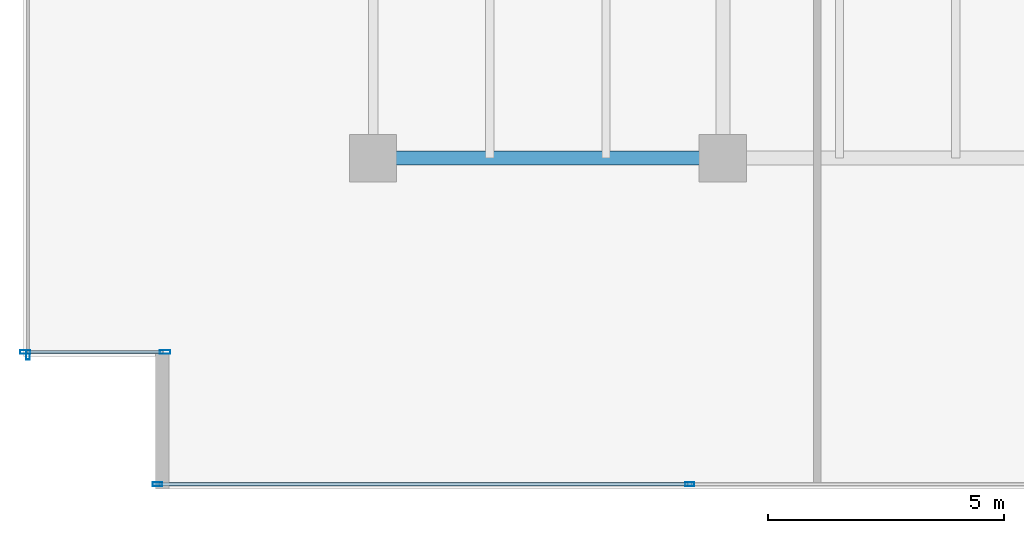
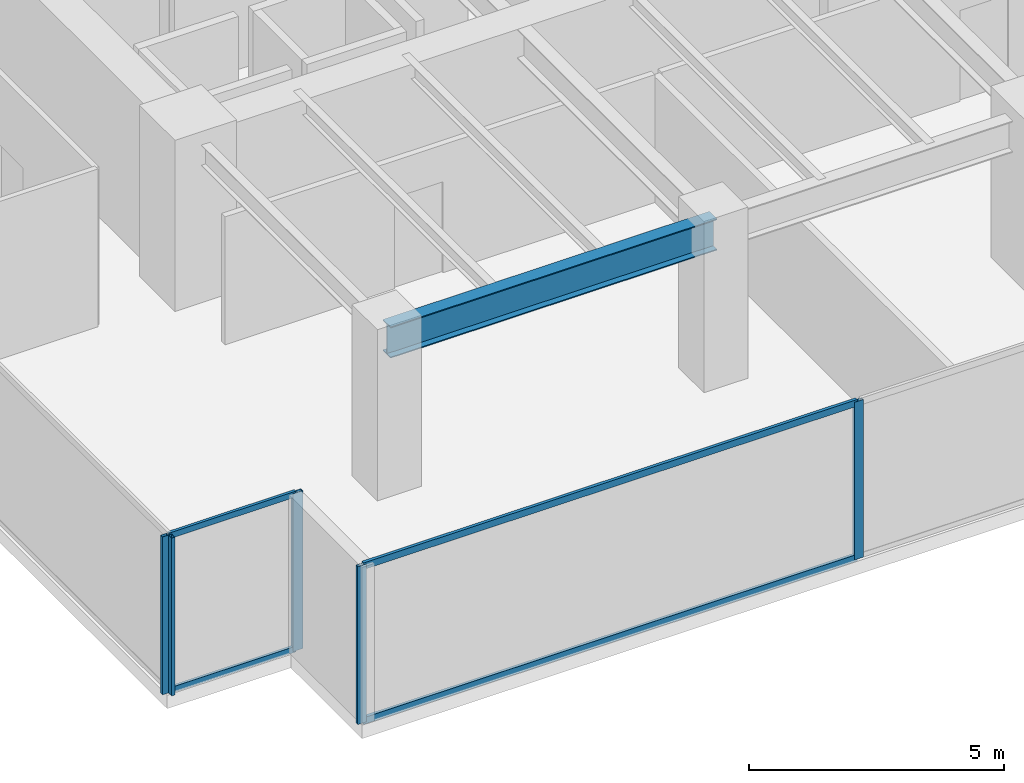
# One storey, part 2 of 35: 9 members, 1 beam, 3 elements without a shape of their own.
"""IFC4 building model written with IfcOpenShell, lengths in metres."""

import ifcopenshell
import ifcopenshell.guid

model = None  # the IFC model being written
_history = None  # IfcOwnerHistory: only IFC2X3 demands one
_inside = {}  # id of a spatial element -> (the spatial element, [elements in it])
_under = {}  # id of a project, library or spatial element -> (it, [spatial elements below it])
_declared = {}  # id of a project -> (the project, [libraries it declares])
_typed = {}  # id of a type object -> (the type object, [elements of that type])
_made_of = {}  # id of a material, layer set ... -> (it, [elements and type objects made of it])


def new_model(schema):
    """Start an empty IFC model of exactly this schema.

    Asked for "IFC4X3", IfcOpenShell would pick the latest addendum, in which some entities
    have other attributes; the version numbers below select the first issue.
    IFC2X3 requires an IfcOwnerHistory on every rooted entity: one is made here for all.
    """
    global model, _history
    if schema == "IFC4X3":
        model = ifcopenshell.file(schema_version=(4, 3, 0, 0))
    else:
        model = ifcopenshell.file(schema=schema)
    _inside.clear()
    _under.clear()
    _declared.clear()
    _typed.clear()
    _made_of.clear()
    _history = None
    if model.schema == "IFC2X3":
        org = make("IfcOrganization", Name="unknown")
        user = make(
            "IfcPersonAndOrganization",
            ThePerson=make("IfcPerson", FamilyName="unknown"),
            TheOrganization=org,
        )
        app = make(
            "IfcApplication",
            ApplicationDeveloper=org,
            Version="unknown",
            ApplicationFullName="unknown",
            ApplicationIdentifier="unknown",
        )
        _history = make(
            "IfcOwnerHistory",
            OwningUser=user,
            OwningApplication=app,
            ChangeAction="ADDED",
            CreationDate=0,
        )
    return model


def make(cls, **values):
    """One entity of the class cls with the attributes given. An attribute that is None is left unset."""
    return model.create_entity(
        cls, **{name: value for name, value in values.items() if value is not None}
    )


def rooted(cls, **values):
    """An entity with a GlobalId (a new one), such as an element, a storey or a relation."""
    return make(cls, GlobalId=ifcopenshell.guid.new(), OwnerHistory=_history, **values)


def si_unit(unit_type, name, prefix=None):
    """IfcSIUnit, for example si_unit("LENGTHUNIT", "METRE", prefix="MILLI")."""
    return make("IfcSIUnit", UnitType=unit_type, Prefix=prefix, Name=name)


def assignment(units):
    """IfcUnitAssignment: the units of a project."""
    return None if units is None else make("IfcUnitAssignment", Units=units)


def point(xyz):
    """IfcCartesianPoint."""
    return None if xyz is None else make("IfcCartesianPoint", Coordinates=xyz)


def direction(xyz):
    """IfcDirection."""
    return None if xyz is None else make("IfcDirection", DirectionRatios=xyz)


def frame(location, z_axis=None, x_axis=None):
    """IfcAxis2Placement3D, a coordinate frame: its origin and axes. An axis left out is left unset."""
    return make(
        "IfcAxis2Placement3D",
        Location=point(location),
        Axis=direction(z_axis),
        RefDirection=direction(x_axis),
    )


def frame_2d(location, x_axis=None):
    """IfcAxis2Placement2D, a coordinate frame in the plane: its origin and x axis."""
    return make(
        "IfcAxis2Placement2D", Location=point(location), RefDirection=direction(x_axis)
    )


def origin():
    """The frame at (0, 0, 0) with its axes left unset."""
    return frame((0.0, 0.0, 0.0))


def origin_2d():
    """The frame at (0, 0) in the plane with its x axis left unset."""
    return frame_2d((0.0, 0.0))


def place(relative_to, where):
    """IfcLocalPlacement: puts the frame where relative to a parent placement (None: the world)."""
    return make(
        "IfcLocalPlacement", PlacementRelTo=relative_to, RelativePlacement=where
    )


def context(
    kind, dimensions, precision=None, world=None, true_north=None, identifier=None
):
    """IfcGeometricRepresentationContext, for example the 3D "Model" context."""
    return make(
        "IfcGeometricRepresentationContext",
        ContextIdentifier=identifier,
        ContextType=kind,
        CoordinateSpaceDimension=dimensions,
        Precision=precision,
        WorldCoordinateSystem=world,
        TrueNorth=true_north,
    )


def subcontext(parent, identifier, kind, view, scale=None):
    """IfcGeometricRepresentationSubContext, for example "Body" below "Model"."""
    return make(
        "IfcGeometricRepresentationSubContext",
        ContextIdentifier=identifier,
        ContextType=kind,
        ParentContext=parent,
        TargetScale=scale,
        TargetView=view,
    )


def project(units=None, contexts=None):
    """IfcProject with its units and contexts."""
    return rooted(
        "IfcProject",
        Name="project",
        RepresentationContexts=contexts,
        UnitsInContext=assignment(units),
    )


def spatial(cls, under=None, at=None, **own):
    """A site, building, storey or space (cls), placed at a placement, below another one or the project."""
    s = rooted(cls, ObjectPlacement=at, **own)
    if under is not None:
        _under.setdefault(under.id(), (under, []))[1].append(s)
    return s


def profile(cls, at=None, kind="AREA", **sizes):
    """A parametric profile (cls). Its sizes go by their IFC names, for example OverallWidth=200.0."""
    return make(cls, ProfileType=kind, Position=at, **sizes)


def hollow_rectangle(**sizes):
    """IfcRectangleHollowProfileDef."""
    return profile("IfcRectangleHollowProfileDef", **sizes)


def i_section(**sizes):
    """IfcIShapeProfileDef."""
    return profile("IfcIShapeProfileDef", **sizes)


def extrude(swept, where, along, depth):
    """IfcExtrudedAreaSolid: the profile swept, set in the frame where, extruded along a direction by depth."""
    return make(
        "IfcExtrudedAreaSolid",
        SweptArea=swept,
        Position=where,
        ExtrudedDirection=direction(along),
        Depth=depth,
    )


def shape(context_of_items, identifier, shape_type, items):
    """IfcShapeRepresentation: the items that make up one representation, for example the "Body"."""
    return make(
        "IfcShapeRepresentation",
        ContextOfItems=context_of_items,
        RepresentationIdentifier=identifier,
        RepresentationType=shape_type,
        Items=items,
    )


def source(mapping_origin, context_of_items, identifier, shape_type, items):
    """IfcRepresentationMap: a shape defined once, which mapped items show again and again."""
    return make(
        "IfcRepresentationMap",
        MappingOrigin=mapping_origin,
        MappedRepresentation=shape(context_of_items, identifier, shape_type, items),
    )


def transform(
    local_origin,
    x_axis=None,
    y_axis=None,
    z_axis=None,
    scale=None,
    scale2=None,
    scale3=None,
    uniform=True,
):
    """IfcCartesianTransformationOperator3D, or its non-uniform kind. x_axis, y_axis, z_axis: its Axis1, 2, 3."""
    if uniform:
        return make(
            "IfcCartesianTransformationOperator3D",
            Axis1=direction(x_axis),
            Axis2=direction(y_axis),
            LocalOrigin=point(local_origin),
            Scale=scale,
            Axis3=direction(z_axis),
        )
    return make(
        "IfcCartesianTransformationOperator3DnonUniform",
        Axis1=direction(x_axis),
        Axis2=direction(y_axis),
        LocalOrigin=point(local_origin),
        Scale=scale,
        Axis3=direction(z_axis),
        Scale2=scale2,
        Scale3=scale3,
    )


def mapped(mapping_source, mapping_target):
    """IfcMappedItem: shows the shape of a source again, moved by a transform."""
    return make(
        "IfcMappedItem", MappingSource=mapping_source, MappingTarget=mapping_target
    )


def material(Name=None, Category=None):
    """IfcMaterial."""
    return make("IfcMaterial", Name=Name, Category=Category)


def layer(
    of_material, thickness, ventilated=None, Name=None, Category=None, Priority=None
):
    """IfcMaterialLayer: one layer of a wall or slab, of a material (None: an air gap)."""
    return make(
        "IfcMaterialLayer",
        Material=of_material,
        LayerThickness=thickness,
        IsVentilated=ventilated,
        Name=Name,
        Category=Category,
        Priority=Priority,
    )


def layer_set(layers, Name=None):
    """IfcMaterialLayerSet."""
    return make("IfcMaterialLayerSet", MaterialLayers=layers, LayerSetName=Name)


def material_profile(
    of_material, cross_section, Name=None, Category=None, Priority=None
):
    """IfcMaterialProfile: a cross section and its material."""
    return make(
        "IfcMaterialProfile",
        Name=Name,
        Material=of_material,
        Profile=cross_section,
        Priority=Priority,
        Category=Category,
    )


def profile_set(profiles, Name=None, composite=None):
    """IfcMaterialProfileSet."""
    return make(
        "IfcMaterialProfileSet",
        Name=Name,
        MaterialProfiles=profiles,
        CompositeProfile=composite,
    )


def made_of(thing, what):
    """Note that an element or type object is made of a material, layer set ...; save() writes the relation."""
    if what is not None:
        _made_of.setdefault(what.id(), (what, []))[1].append(thing)
    return thing


def type_object(cls, material=None, **own):
    """A type object (cls), such as IfcWallType, which elements share."""
    return made_of(rooted(cls, **own), material)


def type_shapes(of_type, sources):
    """Give a type object the sources (RepresentationMaps) that its elements show as mapped items."""
    of_type.RepresentationMaps = sources


def element(
    cls,
    number,
    at=None,
    inside=None,
    cuts=None,
    type_object=None,
    material=None,
    context=None,
    identifier="Body",
    shape_type=None,
    held_by="IfcProductDefinitionShape",
    body=None,
    shapes=None,
    **own,
):
    """One element of the class cls, such as IfcWall. Its Tag is "e" and its number.

    at: its placement. inside: the storey or other place that contains it. cuts: it is an
    opening in that element (IfcRelVoidsElement). A single representation is given by context,
    identifier, shape_type and body (its items); several are given by shapes. held_by: the class
    of the entity that holds the representations. save() writes the other relations.
    """
    e = rooted(cls, Tag="e%d" % number, ObjectPlacement=at, **own)
    if body is not None:
        shapes = [shape(context, identifier, shape_type, body)]
    if shapes is not None:
        e.Representation = make(held_by, Representations=shapes)
    if inside is not None:
        _inside.setdefault(inside.id(), (inside, []))[1].append(e)
    if cuts is not None:
        rooted(
            "IfcRelVoidsElement", RelatingBuildingElement=cuts, RelatedOpeningElement=e
        )
    if type_object is not None:
        _typed.setdefault(type_object.id(), (type_object, []))[1].append(e)
    return made_of(e, material)


def aggregate(whole, parts):
    """IfcRelAggregates: a whole, such as a stair, and the parts it consists of."""
    return rooted("IfcRelAggregates", RelatingObject=whole, RelatedObjects=parts)


def save(model, path):
    """Write the relations noted so far, then the file.

    IfcRelAggregates (storeys below a building ...), IfcRelContainedInSpatialStructure (elements
    in a storey), IfcRelDefinesByType, IfcRelAssociatesMaterial and IfcRelDeclares: one each for
    every whole, place, type object, material and project.
    """
    for whole, parts in _under.values():
        aggregate(whole, parts)
    for where, things in _inside.values():
        rooted(
            "IfcRelContainedInSpatialStructure",
            RelatedElements=things,
            RelatingStructure=where,
        )
    for kind, things in _typed.values():
        rooted("IfcRelDefinesByType", RelatedObjects=things, RelatingType=kind)
    for what, things in _made_of.values():
        rooted("IfcRelAssociatesMaterial", RelatedObjects=things, RelatingMaterial=what)
    for by, libraries in _declared.values():
        rooted("IfcRelDeclares", RelatingContext=by, RelatedDefinitions=libraries)
    model.write(path)


model = new_model("IFC4")

# Units and contexts
model_context = context("Model", 3, precision=1e-05, world=origin(), true_north=direction((0.0, 1.0)))
body_context = subcontext(model_context, "Body", "Model", "MODEL_VIEW")
ifc_project = project(units=[si_unit("LENGTHUNIT", "METRE"), si_unit("AREAUNIT", "SQUARE_METRE"), si_unit("VOLUMEUNIT", "CUBIC_METRE"), si_unit("PLANEANGLEUNIT", "RADIAN"), si_unit("MASSUNIT", "GRAM", prefix="KILO")], contexts=[model_context])

# Site, building, storey
site_placement = place(None, origin())
site = spatial("IfcSite", under=ifc_project, at=site_placement, CompositionType="ELEMENT")
building_placement = place(site_placement, origin())
building = spatial("IfcBuilding", under=site, at=building_placement, Name="Haelvirn Gate Laboratories", CompositionType="ELEMENT")
storey_placement = place(building_placement, frame((0.0, 0.0, 58.0)))
storey = spatial("IfcBuildingStorey", under=building, at=storey_placement, Name="L14", CompositionType="ELEMENT", Elevation=58.0)

# Beam
ifc_material_1 = material(Name="Steel SM355", Category="steel")
ifc_material_profile_1 = material_profile(ifc_material_1, i_section(OverallWidth=0.300048828125, OverallDepth=0.75, WebThickness=0.013916015625, FlangeThickness=0.02392578125, at=origin_2d()), Name="H-750x300x14x24")
ifc_profile_set_1 = profile_set([ifc_material_profile_1], Name="Steel SM355")
beam_type = type_object("IfcBeamType", Name="BM-G-750", PredefinedType="BEAM", material=ifc_profile_set_1)
shared_shape_1 = source(origin(), body_context, "Body", "SweptSolid", [
    extrude(i_section(OverallWidth=0.300048828125, OverallDepth=0.75, WebThickness=0.013916015625, FlangeThickness=0.02392578125, at=origin_2d()), origin(), (0.0, 0.0, 1.0), 7.400146484375),
])
type_shapes(beam_type, [shared_shape_1])
beam_placement = place(storey_placement, frame((7.39990234375, 7.0, 3.405029296875), z_axis=(1.0, 0.0, 0.0), x_axis=(0.0, 1.0, 0.0)))
element("IfcBeam", 1, at=beam_placement, inside=storey, type_object=beam_type, Name="L14 Primary Girder Y7.0 (7.4-14.8)", PredefinedType="BEAM", context=body_context, shape_type="MappedRepresentation", body=[
    mapped(shared_shape_1, transform((0.0, 0.0, 0.0), scale=1.0)),
])

# Curtain wall, members
ifc_material_2 = material(Name="Anodised bronze unitised aluminium & triple low-E glass", Category="aluminium")
ifc_layer_1 = layer(ifc_material_2, 0.18408203125, Name="CW-SYS-2")
ifc_layer_set_1 = layer_set([ifc_layer_1], Name="Anodised bronze unitised aluminium & triple low-E glass")
curtain_wall_type_1 = type_object("IfcCurtainWallType", Name="CW-SYS-2", PredefinedType="NOTDEFINED", material=ifc_layer_set_1)
curtain_wall_1_placement = place(storey_placement, origin())
curtain_wall_1 = element("IfcCurtainWall", 2, at=curtain_wall_1_placement, inside=storey, type_object=curtain_wall_type_1, Name="L14 Unitised Curtain Wall CW-L14-P0-E00-1", PredefinedType="NOTDEFINED")
ifc_material_3 = material(Name="Extruded aluminium 6063-T6 (anodised bronze)", Category="aluminium")
ifc_material_profile_2 = material_profile(ifc_material_3, hollow_rectangle(XDim=0.074951171875, YDim=0.199951171875, WallThickness=0.0048828125, at=origin_2d()), Name="CWM-200x75x5")
ifc_profile_set_2 = profile_set([ifc_material_profile_2], Name="Extruded aluminium 6063-T6 (anodised bronze)")
member_type_1 = type_object("IfcMemberType", Name="CWM-T200", PredefinedType="MULLION", material=ifc_profile_set_2)
shared_shape_2 = source(origin(), body_context, "Body", "SweptSolid", [
    extrude(hollow_rectangle(XDim=0.074951171875, YDim=0.199951171875, WallThickness=0.0048828125, at=origin_2d()), origin(), (0.0, 0.0, 1.0), 3.780029296875),
])
type_shapes(member_type_1, [shared_shape_2])
member_1_placement = place(storey_placement, frame((2.83740234375, 0.10009765625, 0.0), z_axis=(0.0, 0.0, 1.0), x_axis=(0.0, 1.0, 0.0)))
member_1 = element("IfcMember", 3, at=member_1_placement, type_object=member_type_1, Name="CW2 mullion 1", PredefinedType="MULLION", context=body_context, shape_type="MappedRepresentation", body=[
    mapped(shared_shape_2, transform((0.0, 0.0, 0.0), scale=1.0)),
])
member_2_placement = place(storey_placement, frame((14.10009765625, 0.10009765625, 0.0), z_axis=(0.0, 0.0, 1.0), x_axis=(0.0, 1.0, 0.0)))
member_2 = element("IfcMember", 4, at=member_2_placement, type_object=member_type_1, Name="CW2 mullion 2", PredefinedType="MULLION", context=body_context, shape_type="MappedRepresentation", body=[
    mapped(shared_shape_2, transform((0.0, 0.0, 0.0), scale=1.0)),
])

# Curtain wall, member
curtain_wall_2_placement = place(storey_placement, origin())
curtain_wall_2 = element("IfcCurtainWall", 5, at=curtain_wall_2_placement, inside=storey, type_object=curtain_wall_type_1, Name="L14 Unitised Curtain Wall CW-L14-P0-E17", PredefinedType="NOTDEFINED")
member_3_placement = place(storey_placement, frame((0.10009765625, 2.83740234375, 0.0), z_axis=(0.0, 0.0, 1.0), x_axis=(1.0, 0.0, 0.0)))
member_3 = element("IfcMember", 6, at=member_3_placement, type_object=member_type_1, Name="CW2 mullion 4", PredefinedType="MULLION", context=body_context, shape_type="MappedRepresentation", body=[
    mapped(shared_shape_2, transform((0.0, 0.0, 0.0), scale=1.0)),
])
aggregate(curtain_wall_2, [member_3])

# Member
ifc_material_profile_3 = material_profile(ifc_material_3, hollow_rectangle(XDim=0.070068359375, YDim=0.159912109375, WallThickness=0.0048828125, at=origin_2d()), Name="CWT-160x70x5")
ifc_profile_set_3 = profile_set([ifc_material_profile_3], Name="Extruded aluminium 6063-T6 (anodised bronze)")
member_type_2 = type_object("IfcMemberType", Name="CWT-T160", PredefinedType="USERDEFINED", material=ifc_profile_set_3)
shared_shape_3 = source(origin(), body_context, "Body", "SweptSolid", [
    extrude(hollow_rectangle(XDim=0.070068359375, YDim=0.159912109375, WallThickness=0.0048828125, at=origin_2d()), origin(), (0.0, 0.0, 1.0), 11.1875),
])
type_shapes(member_type_2, [shared_shape_3])
member_4_placement = place(storey_placement, frame((2.875, 0.10009765625, 0.034912109375), z_axis=(1.0, 0.0, 0.0), x_axis=(0.0, 1.0, 0.0)))
member_4 = element("IfcMember", 7, at=member_4_placement, type_object=member_type_2, Name="CW2 transom 1.1", ObjectType="TRANSOM", PredefinedType="USERDEFINED", context=body_context, shape_type="MappedRepresentation", body=[
    mapped(shared_shape_3, transform((0.0, 0.0, 0.0), scale=1.0)),
])

member_5_placement = place(storey_placement, frame((2.875, 0.10009765625, 3.7451171875), z_axis=(1.0, 0.0, 0.0), x_axis=(0.0, 1.0, 0.0)))
member_5 = element("IfcMember", 8, at=member_5_placement, type_object=member_type_2, Name="CW2 transom 1.2", ObjectType="TRANSOM", PredefinedType="USERDEFINED", context=body_context, shape_type="MappedRepresentation", body=[
    mapped(shared_shape_3, transform((0.0, 0.0, 0.0), scale=1.0)),
])

aggregate(curtain_wall_1, [member_1, member_2, member_4, member_5])

# Curtain wall, members
ifc_layer_2 = layer(ifc_material_2, 0.181884765625, Name="CW-SYS-5")
ifc_layer_set_2 = layer_set([ifc_layer_2], Name="Anodised bronze unitised aluminium & triple low-E glass")
curtain_wall_type_2 = type_object("IfcCurtainWallType", Name="CW-SYS-5", PredefinedType="NOTDEFINED", material=ifc_layer_set_2)
curtain_wall_3_placement = place(storey_placement, origin())
curtain_wall_3 = element("IfcCurtainWall", 9, at=curtain_wall_3_placement, inside=storey, type_object=curtain_wall_type_2, Name="L14 Unitised Curtain Wall CW-L14-P0-E18-1", PredefinedType="NOTDEFINED")
ifc_material_profile_4 = material_profile(ifc_material_3, hollow_rectangle(XDim=0.080078125, YDim=0.219970703125, WallThickness=0.006103515625, at=origin_2d()), Name="CWM-220x80x6")
ifc_profile_set_4 = profile_set([ifc_material_profile_4], Name="Extruded aluminium 6063-T6 (anodised bronze)")
member_type_3 = type_object("IfcMemberType", Name="CWM-T220", PredefinedType="MULLION", material=ifc_profile_set_4)
shared_shape_4 = source(origin(), body_context, "Body", "SweptSolid", [
    extrude(hollow_rectangle(XDim=0.080078125, YDim=0.219970703125, WallThickness=0.006103515625, at=origin_2d()), origin(), (0.0, 0.0, 1.0), 3.780029296875),
])
type_shapes(member_type_3, [shared_shape_4])
member_6_placement = place(storey_placement, frame((0.0400390625, 2.89990234375, 0.0), z_axis=(0.0, 0.0, 1.0), x_axis=(0.0, 1.0, 0.0)))
member_6 = element("IfcMember", 10, at=member_6_placement, type_object=member_type_3, Name="CW5 mullion 1", PredefinedType="MULLION", context=body_context, shape_type="MappedRepresentation", body=[
    mapped(shared_shape_4, transform((0.0, 0.0, 0.0), scale=1.0)),
])
member_7_placement = place(storey_placement, frame((3.0, 2.89990234375, 0.0), z_axis=(0.0, 0.0, 1.0), x_axis=(0.0, 1.0, 0.0)))
member_7 = element("IfcMember", 11, at=member_7_placement, type_object=member_type_3, Name="CW5 mullion 2", PredefinedType="MULLION", context=body_context, shape_type="MappedRepresentation", body=[
    mapped(shared_shape_4, transform((0.0, 0.0, 0.0), scale=1.0)),
])
ifc_material_profile_5 = material_profile(ifc_material_3, hollow_rectangle(XDim=0.06494140625, YDim=0.139892578125, WallThickness=0.00390625, at=origin_2d()), Name="CWT-140x65x4")
ifc_profile_set_5 = profile_set([ifc_material_profile_5], Name="Extruded aluminium 6063-T6 (anodised bronze)")
member_type_4 = type_object("IfcMemberType", Name="CWT-T140", PredefinedType="USERDEFINED", material=ifc_profile_set_5)
shared_shape_5 = source(origin(), body_context, "Body", "SweptSolid", [
    extrude(hollow_rectangle(XDim=0.06494140625, YDim=0.139892578125, WallThickness=0.00390625, at=origin_2d()), origin(), (0.0, 0.0, 1.0), 2.8798828125),
])
type_shapes(member_type_4, [shared_shape_5])
member_8_placement = place(storey_placement, frame((0.080078125, 2.89990234375, 0.032470703125), z_axis=(1.0, 0.0, 0.0), x_axis=(0.0, 1.0, 0.0)))
member_8 = element("IfcMember", 12, at=member_8_placement, type_object=member_type_4, Name="CW5 transom 1.1", ObjectType="TRANSOM", PredefinedType="USERDEFINED", context=body_context, shape_type="MappedRepresentation", body=[
    mapped(shared_shape_5, transform((0.0, 0.0, 0.0), scale=1.0)),
])
member_9_placement = place(storey_placement, frame((0.080078125, 2.89990234375, 3.74755859375), z_axis=(1.0, 0.0, 0.0), x_axis=(0.0, 1.0, 0.0)))
member_9 = element("IfcMember", 13, at=member_9_placement, type_object=member_type_4, Name="CW5 transom 1.2", ObjectType="TRANSOM", PredefinedType="USERDEFINED", context=body_context, shape_type="MappedRepresentation", body=[
    mapped(shared_shape_5, transform((0.0, 0.0, 0.0), scale=1.0)),
])
aggregate(curtain_wall_3, [member_6, member_7, member_8, member_9])

save(model, "model.ifc")
